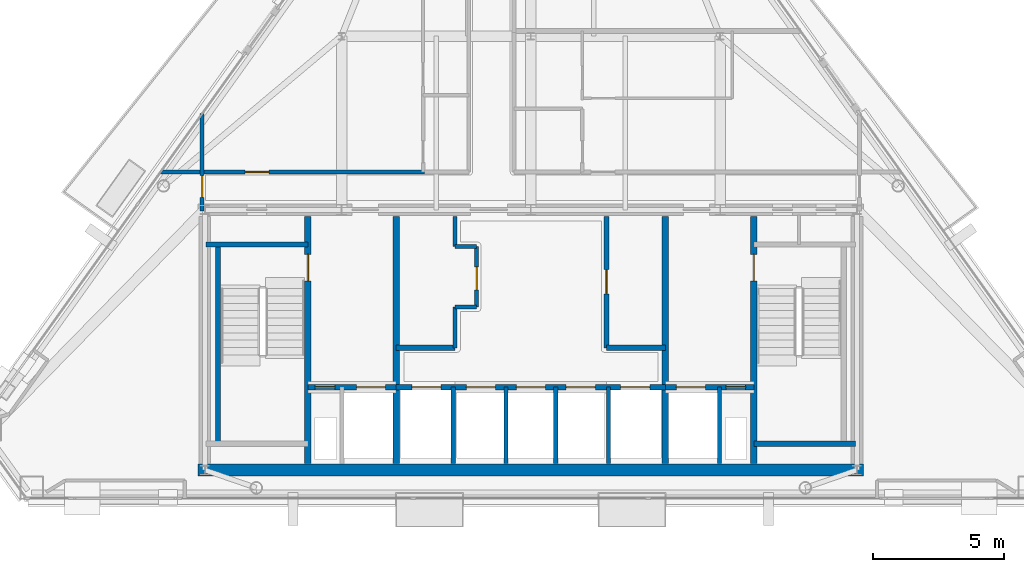
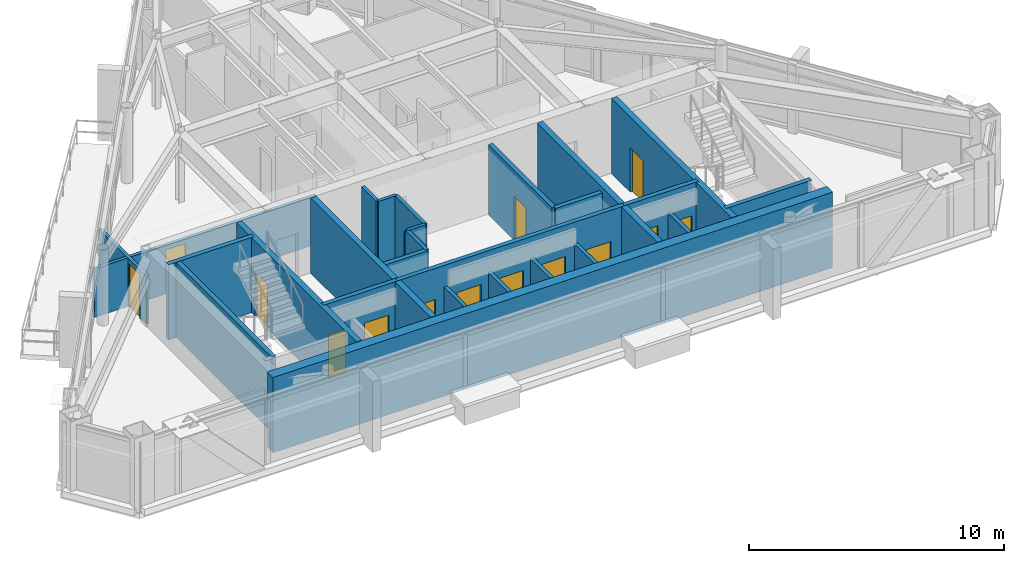
# One storey, part 8 of 12: 26 walls, 15 doors, 15 openings.
"""IFC4 building model written with IfcOpenShell, lengths in metres."""

from ifc_helpers import new_model, si_unit, direction, frame, frame_2d, origin, place, context, subcontext, project, spatial, rectangle, extrude, material, layer, layer_set, type_object, element, fill, save


model = new_model("IFC4")

# Units and contexts
model_context = context("Model", 3, precision=1e-05, world=origin(), true_north=direction((0.0, 1.0)))
body_context = subcontext(model_context, "Body", "Model", "MODEL_VIEW")
ifc_project = project(units=[si_unit("LENGTHUNIT", "METRE"), si_unit("AREAUNIT", "SQUARE_METRE"), si_unit("VOLUMEUNIT", "CUBIC_METRE"), si_unit("PLANEANGLEUNIT", "RADIAN"), si_unit("MASSUNIT", "GRAM", prefix="KILO")], contexts=[model_context])

# Site, building, storey
site_placement = place(None, origin())
site = spatial("IfcSite", under=ifc_project, at=site_placement, CompositionType="ELEMENT")
building_placement = place(site_placement, origin())
building = spatial("IfcBuilding", under=site, at=building_placement, Name="Talgorran Terracotta Tower", CompositionType="ELEMENT")
storey_placement = place(building_placement, frame((0.0, 0.0, 277.800048828125)))
storey = spatial("IfcBuildingStorey", under=building, at=storey_placement, Name="L73", CompositionType="ELEMENT", Elevation=277.800048828125)

# Walls
ifc_material_1 = material(Name="Concrete C50/60", Category="concrete")
ifc_layer_1 = layer(ifc_material_1, 0.199951171875, Name="WT_CORE_200")
ifc_layer_set_1 = layer_set([ifc_layer_1], Name="Concrete C50/60")
wall_type_1 = type_object("IfcWallType", Name="WT_CORE_200", PredefinedType="SOLIDWALL", material=ifc_layer_set_1)
wall_1_placement = place(storey_placement, frame((-12.35009765625, -5.52001953125, 0.0), z_axis=(0.0, 0.0, 1.0), x_axis=(1.0, 0.0, 0.0)))
element("IfcWall", 1, at=wall_1_placement, inside=storey, type_object=wall_type_1, Name="WL-L73-CW-ST1-N", PredefinedType="SOLIDWALL", context=body_context, shape_type="SweptSolid", body=[
    extrude(rectangle(XDim=3.8701171875, YDim=0.199951171875, at=frame_2d((1.93505859375, 0.0))), origin(), (0.0, 0.0, 1.0), 3.599853515625),
])
wall_2_placement = place(storey_placement, frame((-11.89990234375, -13.10009765625, 0.0), z_axis=(0.0, 0.0, 1.0), x_axis=(0.0, 1.0, 0.0)))
element("IfcWall", 2, at=wall_2_placement, inside=storey, type_object=wall_type_1, Name="WL-L73-CW-ST1-W", PredefinedType="SOLIDWALL", context=body_context, shape_type="SweptSolid", body=[
    extrude(rectangle(XDim=7.580078125, YDim=0.199951171875, at=frame_2d((3.7900390625, 0.0))), origin(), (0.0, 0.0, 1.0), 3.599853515625),
])
wall_3_placement = place(storey_placement, frame((8.47998046875, -13.10009765625, 0.0), z_axis=(0.0, 0.0, 1.0), x_axis=(1.0, 0.0, 0.0)))
element("IfcWall", 3, at=wall_3_placement, inside=storey, type_object=wall_type_1, Name="WL-L73-CW-ST2-S", PredefinedType="SOLIDWALL", context=body_context, shape_type="SweptSolid", body=[
    extrude(rectangle(XDim=3.8701171875, YDim=0.199951171875, at=frame_2d((1.93505859375, 0.0))), origin(), (0.0, 0.0, 1.0), 3.599853515625),
])

# Wall, openings, doors
wall_4_placement = place(storey_placement, frame((-8.47998046875, -10.949951171875, 0.0), z_axis=(0.0, 0.0, 1.0), x_axis=(1.0, 0.0, 0.0)))
wall_4 = element("IfcWall", 4, at=wall_4_placement, inside=storey, type_object=wall_type_1, Name="WL-L73-CW-H-SBW", PredefinedType="SOLIDWALL", context=body_context, shape_type="SweptSolid", body=[
    extrude(rectangle(XDim=3.35986328125, YDim=0.199951171875, at=frame_2d((1.679931640625, 0.0))), origin(), (0.0, 0.0, 1.0), 3.599853515625),
])
opening_1_placement = place(wall_4_placement, frame((0.280029296875, 0.0, 0.0)))
opening_1 = element("IfcOpeningElement", 5, at=opening_1_placement, cuts=wall_4, Name="Opening DR-RSW", PredefinedType="OPENING", context=body_context, shape_type="SweptSolid", body=[
    extrude(rectangle(XDim=0.756, YDim=2.054048828125, at=frame_2d((0.375, 1.027099609375))), frame((0.0, 0.10986328125, 0.0), z_axis=(0.0, -1.0, 0.0), x_axis=(1.0, 0.0, 0.0)), (0.0, 0.0, 1.0), 0.219970703125),
])
opening_2_placement = place(wall_4_placement, frame((1.85009765625, 0.0, 0.0)))
opening_2 = element("IfcOpeningElement", 6, at=opening_2_placement, cuts=wall_4, Name="Opening LD-FFL1", PredefinedType="OPENING", context=body_context, shape_type="SweptSolid", body=[
    extrude(rectangle(XDim=1.10609765625, YDim=2.10409765625, at=frame_2d((0.550048828125, 1.052001953125))), frame((0.0, 0.10986328125, 0.0), z_axis=(0.0, -1.0, 0.0), x_axis=(1.0, 0.0, 0.0)), (0.0, 0.0, 1.0), 0.219970703125),
])
ifc_material_2 = material(Name="Brushed Stainless Steel Grade 304", Category="steel")
door_type_1 = type_object("IfcDoorType", Name="DT_LIFT_LD1100", OperationType="DOUBLE_DOOR_SLIDING", PredefinedType="DOOR", material=ifc_material_2)
door_1_placement = place(opening_2_placement, origin())
door_1 = element("IfcDoor", 7, at=door_1_placement, inside=storey, type_object=door_type_1, Name="L73 Lift Landing Door LD-FFL1", OperationType="DOUBLE_DOOR_SLIDING", OverallHeight=2.10009765625, OverallWidth=1.10009765625, PredefinedType="DOOR", context=body_context, shape_type="SweptSolid", body=[
    extrude(rectangle(XDim=1.10009765625, YDim=2.10009765625, at=frame_2d((0.550048828125, 1.050048828125))), frame((0.0, 0.02490234375, 0.0), z_axis=(0.0, -1.0, 0.0), x_axis=(1.0, 0.0, 0.0)), (0.0, 0.0, 1.0), 0.050048828125),
])
fill(opening_2, door_1)
ifc_material_3 = material(Name="Fire-Rated Pressed Steel", Category="steel")
door_type_2 = type_object("IfcDoorType", Name="DT_RISER_750", OperationType="NOTDEFINED", PredefinedType="DOOR", material=ifc_material_3)
door_2_placement = place(opening_1_placement, origin())
door_2 = element("IfcDoor", 8, at=door_2_placement, inside=storey, type_object=door_type_2, Name="DR-RSW", OperationType="SINGLE_SWING_LEFT", OverallHeight=2.050048828125, OverallWidth=0.75, PredefinedType="DOOR", context=body_context, shape_type="SweptSolid", body=[
    extrude(rectangle(XDim=0.75, YDim=2.050048828125, at=frame_2d((0.375, 1.02490234375))), frame((0.0, 0.02490234375, 0.0), z_axis=(0.0, -1.0, 0.0), x_axis=(1.0, 0.0, 0.0)), (0.0, 0.0, 1.0), 0.050048828125),
])
fill(opening_1, door_2)

wall_5_placement = place(storey_placement, frame((-5.1201171875, -10.949951171875, 0.0), z_axis=(0.0, 0.0, 1.0), x_axis=(1.0, 0.0, 0.0)))
wall_5 = element("IfcWall", 9, at=wall_5_placement, inside=storey, type_object=wall_type_1, Name="WL-L73-CW-H-SBC", PredefinedType="SOLIDWALL", context=body_context, shape_type="SweptSolid", body=[
    extrude(rectangle(XDim=10.240234375, YDim=0.199951171875, at=frame_2d((5.1201171875, 0.0))), origin(), (0.0, 0.0, 1.0), 3.599853515625),
])
opening_3_placement = place(wall_5_placement, frame((0.60009765625, 0.0, 0.0)))
opening_3 = element("IfcOpeningElement", 10, at=opening_3_placement, cuts=wall_5, Name="Opening LD-OB1", PredefinedType="OPENING", context=body_context, shape_type="SweptSolid", body=[
    extrude(rectangle(XDim=1.10609765625, YDim=2.10409765625, at=frame_2d((0.550048828125, 1.052001953125))), frame((0.0, 0.10986328125, 0.0), z_axis=(0.0, -1.0, 0.0), x_axis=(1.0, 0.0, 0.0)), (0.0, 0.0, 1.0), 0.219970703125),
])
opening_4_placement = place(wall_5_placement, frame((2.669921875, 0.0, 0.0)))
opening_4 = element("IfcOpeningElement", 11, at=opening_4_placement, cuts=wall_5, Name="Opening LD-PLH1", PredefinedType="OPENING", context=body_context, shape_type="SweptSolid", body=[
    extrude(rectangle(XDim=1.10609765625, YDim=2.10409765625, at=frame_2d((0.550048828125, 1.052001953125))), frame((0.0, 0.10986328125, 0.0), z_axis=(0.0, -1.0, 0.0), x_axis=(1.0, 0.0, 0.0)), (0.0, 0.0, 1.0), 0.219970703125),
])
opening_5_placement = place(wall_5_placement, frame((4.570068359375, 0.0, 0.0)))
opening_5 = element("IfcOpeningElement", 12, at=opening_5_placement, cuts=wall_5, Name="Opening LD-PLH2", PredefinedType="OPENING", context=body_context, shape_type="SweptSolid", body=[
    extrude(rectangle(XDim=1.10609765625, YDim=2.10409765625, at=frame_2d((0.550048828125, 1.052001953125))), frame((0.0, 0.10986328125, 0.0), z_axis=(0.0, -1.0, 0.0), x_axis=(1.0, 0.0, 0.0)), (0.0, 0.0, 1.0), 0.219970703125),
])
opening_6_placement = place(wall_5_placement, frame((6.469970703125, 0.0, 0.0)))
opening_6 = element("IfcOpeningElement", 13, at=opening_6_placement, cuts=wall_5, Name="Opening LD-PLH3", PredefinedType="OPENING", context=body_context, shape_type="SweptSolid", body=[
    extrude(rectangle(XDim=1.10609765625, YDim=2.10409765625, at=frame_2d((0.550048828125, 1.052001953125))), frame((0.0, 0.10986328125, 0.0), z_axis=(0.0, -1.0, 0.0), x_axis=(1.0, 0.0, 0.0)), (0.0, 0.0, 1.0), 0.219970703125),
])
opening_7_placement = place(wall_5_placement, frame((8.5400390625, 0.0, 0.0)))
opening_7 = element("IfcOpeningElement", 14, at=opening_7_placement, cuts=wall_5, Name="Opening LD-SVL1", PredefinedType="OPENING", context=body_context, shape_type="SweptSolid", body=[
    extrude(rectangle(XDim=1.10609765625, YDim=2.10409765625, at=frame_2d((0.550048828125, 1.052001953125))), frame((0.0, 0.10986328125, 0.0), z_axis=(0.0, -1.0, 0.0), x_axis=(1.0, 0.0, 0.0)), (0.0, 0.0, 1.0), 0.219970703125),
])
door_3_placement = place(opening_3_placement, origin())
door_3 = element("IfcDoor", 15, at=door_3_placement, inside=storey, type_object=door_type_1, Name="L73 Lift Landing Door LD-OB1", OperationType="DOUBLE_DOOR_SLIDING", OverallHeight=2.10009765625, OverallWidth=1.10009765625, PredefinedType="DOOR", context=body_context, shape_type="SweptSolid", body=[
    extrude(rectangle(XDim=1.10009765625, YDim=2.10009765625, at=frame_2d((0.550048828125, 1.050048828125))), frame((0.0, 0.02490234375, 0.0), z_axis=(0.0, -1.0, 0.0), x_axis=(1.0, 0.0, 0.0)), (0.0, 0.0, 1.0), 0.050048828125),
])
fill(opening_3, door_3)
door_4_placement = place(opening_4_placement, origin())
door_4 = element("IfcDoor", 16, at=door_4_placement, inside=storey, type_object=door_type_1, Name="L73 Lift Landing Door LD-PLH1", OperationType="DOUBLE_DOOR_SLIDING", OverallHeight=2.10009765625, OverallWidth=1.10009765625, PredefinedType="DOOR", context=body_context, shape_type="SweptSolid", body=[
    extrude(rectangle(XDim=1.10009765625, YDim=2.10009765625, at=frame_2d((0.550048828125, 1.050048828125))), frame((0.0, 0.02490234375, 0.0), z_axis=(0.0, -1.0, 0.0), x_axis=(1.0, 0.0, 0.0)), (0.0, 0.0, 1.0), 0.050048828125),
])
fill(opening_4, door_4)
door_5_placement = place(opening_5_placement, origin())
door_5 = element("IfcDoor", 17, at=door_5_placement, inside=storey, type_object=door_type_1, Name="L73 Lift Landing Door LD-PLH2", OperationType="DOUBLE_DOOR_SLIDING", OverallHeight=2.10009765625, OverallWidth=1.10009765625, PredefinedType="DOOR", context=body_context, shape_type="SweptSolid", body=[
    extrude(rectangle(XDim=1.10009765625, YDim=2.10009765625, at=frame_2d((0.550048828125, 1.050048828125))), frame((0.0, 0.02490234375, 0.0), z_axis=(0.0, -1.0, 0.0), x_axis=(1.0, 0.0, 0.0)), (0.0, 0.0, 1.0), 0.050048828125),
])
fill(opening_5, door_5)
door_6_placement = place(opening_6_placement, origin())
door_6 = element("IfcDoor", 18, at=door_6_placement, inside=storey, type_object=door_type_1, Name="L73 Lift Landing Door LD-PLH3", OperationType="DOUBLE_DOOR_SLIDING", OverallHeight=2.10009765625, OverallWidth=1.10009765625, PredefinedType="DOOR", context=body_context, shape_type="SweptSolid", body=[
    extrude(rectangle(XDim=1.10009765625, YDim=2.10009765625, at=frame_2d((0.550048828125, 1.050048828125))), frame((0.0, 0.02490234375, 0.0), z_axis=(0.0, -1.0, 0.0), x_axis=(1.0, 0.0, 0.0)), (0.0, 0.0, 1.0), 0.050048828125),
])
fill(opening_6, door_6)
door_7_placement = place(opening_7_placement, origin())
door_7 = element("IfcDoor", 19, at=door_7_placement, inside=storey, type_object=door_type_1, Name="L73 Lift Landing Door LD-SVL1", OperationType="DOUBLE_DOOR_SLIDING", OverallHeight=2.10009765625, OverallWidth=1.10009765625, PredefinedType="DOOR", context=body_context, shape_type="SweptSolid", body=[
    extrude(rectangle(XDim=1.10009765625, YDim=2.10009765625, at=frame_2d((0.550048828125, 1.050048828125))), frame((0.0, 0.02490234375, 0.0), z_axis=(0.0, -1.0, 0.0), x_axis=(1.0, 0.0, 0.0)), (0.0, 0.0, 1.0), 0.050048828125),
])
fill(opening_7, door_7)

wall_6_placement = place(storey_placement, frame((5.1201171875, -10.949951171875, 0.0), z_axis=(0.0, 0.0, 1.0), x_axis=(1.0, 0.0, 0.0)))
wall_6 = element("IfcWall", 20, at=wall_6_placement, inside=storey, type_object=wall_type_1, Name="WL-L73-CW-H-SBE", PredefinedType="SOLIDWALL", context=body_context, shape_type="SweptSolid", body=[
    extrude(rectangle(XDim=3.35986328125, YDim=0.199951171875, at=frame_2d((1.679931640625, 0.0))), origin(), (0.0, 0.0, 1.0), 3.599853515625),
])
opening_8_placement = place(wall_6_placement, frame((0.419921875, 0.0, 0.0)))
opening_8 = element("IfcOpeningElement", 21, at=opening_8_placement, cuts=wall_6, Name="Opening LD-FFL2", PredefinedType="OPENING", context=body_context, shape_type="SweptSolid", body=[
    extrude(rectangle(XDim=1.10609765625, YDim=2.10409765625, at=frame_2d((0.550048828125, 1.052001953125))), frame((0.0, 0.10986328125, 0.0), z_axis=(0.0, -1.0, 0.0), x_axis=(1.0, 0.0, 0.0)), (0.0, 0.0, 1.0), 0.219970703125),
])
opening_9_placement = place(wall_6_placement, frame((2.300048828125, 0.0, 0.0)))
opening_9 = element("IfcOpeningElement", 22, at=opening_9_placement, cuts=wall_6, Name="Opening DR-RSE", PredefinedType="OPENING", context=body_context, shape_type="SweptSolid", body=[
    extrude(rectangle(XDim=0.756, YDim=2.054048828125, at=frame_2d((0.375, 1.027099609375))), frame((0.0, 0.10986328125, 0.0), z_axis=(0.0, -1.0, 0.0), x_axis=(1.0, 0.0, 0.0)), (0.0, 0.0, 1.0), 0.219970703125),
])
door_8_placement = place(opening_8_placement, origin())
door_8 = element("IfcDoor", 23, at=door_8_placement, inside=storey, type_object=door_type_1, Name="L73 Lift Landing Door LD-FFL2", OperationType="DOUBLE_DOOR_SLIDING", OverallHeight=2.10009765625, OverallWidth=1.10009765625, PredefinedType="DOOR", context=body_context, shape_type="SweptSolid", body=[
    extrude(rectangle(XDim=1.10009765625, YDim=2.10009765625, at=frame_2d((0.550048828125, 1.050048828125))), frame((0.0, 0.02490234375, 0.0), z_axis=(0.0, -1.0, 0.0), x_axis=(1.0, 0.0, 0.0)), (0.0, 0.0, 1.0), 0.050048828125),
])
fill(opening_8, door_8)
door_9_placement = place(opening_9_placement, origin())
door_9 = element("IfcDoor", 24, at=door_9_placement, inside=storey, type_object=door_type_2, Name="DR-RSE", OperationType="SINGLE_SWING_RIGHT", OverallHeight=2.050048828125, OverallWidth=0.75, PredefinedType="DOOR", context=body_context, shape_type="SweptSolid", body=[
    extrude(rectangle(XDim=0.75, YDim=2.050048828125, at=frame_2d((0.375, 1.02490234375))), frame((0.0, 0.02490234375, 0.0), z_axis=(0.0, -1.0, 0.0), x_axis=(1.0, 0.0, 0.0)), (0.0, 0.0, 1.0), 0.050048828125),
])
fill(opening_9, door_9)

# Wall
wall_7_placement = place(storey_placement, frame((-5.1201171875, -9.449951171875, 0.0), z_axis=(0.0, 0.0, 1.0), x_axis=(1.0, 0.0, 0.0)))
element("IfcWall", 25, at=wall_7_placement, inside=storey, type_object=wall_type_1, Name="WL-L73-CW-H-W4", PredefinedType="SOLIDWALL", context=body_context, shape_type="SweptSolid", body=[
    extrude(rectangle(XDim=2.240234375, YDim=0.199951171875, at=frame_2d((1.1201171875, 0.0))), origin(), (0.0, 0.0, 1.0), 3.344970703125),
])

# Wall, opening, door
wall_8_placement = place(storey_placement, frame((2.8798828125, -9.449951171875, 0.0), z_axis=(0.0, 0.0, 1.0), x_axis=(0.0, 1.0, 0.0)))
wall_8 = element("IfcWall", 26, at=wall_8_placement, inside=storey, type_object=wall_type_1, Name="WL-L73-CW-V-E3", PredefinedType="SOLIDWALL", context=body_context, shape_type="SweptSolid", body=[
    extrude(rectangle(XDim=5.0, YDim=0.199951171875, at=frame_2d((2.5, 0.0))), origin(), (0.0, 0.0, 1.0), 3.344970703125),
])
opening_10_placement = place(wall_8_placement, frame((2.050048828125, 0.0, 0.0)))
opening_10 = element("IfcOpeningElement", 27, at=opening_10_placement, cuts=wall_8, Name="Opening DR-FRPLM-A", PredefinedType="OPENING", context=body_context, shape_type="SweptSolid", body=[
    extrude(rectangle(XDim=0.925921875, YDim=2.10409765625, at=frame_2d((0.4599609375, 1.052001953125))), frame((0.0, 0.10986328125, 0.0), z_axis=(0.0, -1.0, 0.0), x_axis=(1.0, 0.0, 0.0)), (0.0, 0.0, 1.0), 0.219970703125),
])
ifc_material_4 = material(Name="Solid-Core Painted Timber", Category="wood")
door_type_3 = type_object("IfcDoorType", Name="DT_INT_920", OperationType="NOTDEFINED", PredefinedType="DOOR", material=ifc_material_4)
door_10_placement = place(opening_10_placement, origin())
door_10 = element("IfcDoor", 28, at=door_10_placement, inside=storey, type_object=door_type_3, Name="DR-FRPLM-A", OperationType="SINGLE_SWING_RIGHT", OverallHeight=2.10009765625, OverallWidth=0.919921875, PredefinedType="DOOR", context=body_context, shape_type="SweptSolid", body=[
    extrude(rectangle(XDim=0.919921875, YDim=2.10009765625, at=frame_2d((0.4599609375, 1.050048828125))), frame((0.0, 0.02490234375, 0.0), z_axis=(0.0, -1.0, 0.0), x_axis=(1.0, 0.0, 0.0)), (0.0, 0.0, 1.0), 0.050048828125),
])
fill(opening_10, door_10)

# Wall
wall_9_placement = place(storey_placement, frame((2.8798828125, -9.449951171875, 0.0), z_axis=(0.0, 0.0, 1.0), x_axis=(1.0, 0.0, 0.0)))
element("IfcWall", 29, at=wall_9_placement, inside=storey, type_object=wall_type_1, Name="WL-L73-CW-H-E4", PredefinedType="SOLIDWALL", context=body_context, shape_type="SweptSolid", body=[
    extrude(rectangle(XDim=2.240234375, YDim=0.199951171875, at=frame_2d((1.1201171875, 0.0))), origin(), (0.0, 0.0, 1.0), 3.344970703125),
])

# Wall, opening, door
ifc_layer_2 = layer(ifc_material_1, 0.25, Name="WT_CORE_250")
ifc_layer_set_2 = layer_set([ifc_layer_2], Name="Concrete C50/60")
wall_type_2 = type_object("IfcWallType", Name="WT_CORE_250", PredefinedType="SHEAR", material=ifc_layer_set_2)
wall_10_placement = place(storey_placement, frame((-8.47998046875, -13.85009765625, 0.0), z_axis=(0.0, 0.0, 1.0), x_axis=(0.0, 1.0, 0.0)))
wall_10 = element("IfcWall", 30, at=wall_10_placement, inside=storey, type_object=wall_type_2, Name="WL-L73-CW-V-W1", PredefinedType="SHEAR", context=body_context, shape_type="SweptSolid", body=[
    extrude(rectangle(XDim=9.400146484375, YDim=0.25, at=frame_2d((4.7001953125, 0.0))), origin(), (0.0, 0.0, 1.0), 3.599853515625),
])
opening_11_placement = place(wall_10_placement, frame((6.949951171875, 0.0, 0.0)))
opening_11 = element("IfcOpeningElement", 31, at=opening_11_placement, cuts=wall_10, Name="Opening DR-ST01", PredefinedType="OPENING", context=body_context, shape_type="SweptSolid", body=[
    extrude(rectangle(XDim=1.006, YDim=2.10409765625, at=frame_2d((0.5, 1.052001953125))), frame((0.0, 0.135009765625, 0.0), z_axis=(0.0, -1.0, 0.0), x_axis=(1.0, 0.0, 0.0)), (0.0, 0.0, 1.0), 0.27001953125),
])
door_type_4 = type_object("IfcDoorType", Name="DT_FIRE_1000", OperationType="NOTDEFINED", PredefinedType="DOOR", material=ifc_material_3)
door_11_placement = place(opening_11_placement, origin())
door_11 = element("IfcDoor", 32, at=door_11_placement, inside=storey, type_object=door_type_4, Name="DR-ST01", OperationType="SINGLE_SWING_LEFT", OverallHeight=2.10009765625, OverallWidth=1.0, PredefinedType="DOOR", context=body_context, shape_type="SweptSolid", body=[
    extrude(rectangle(XDim=1.0, YDim=2.10009765625, at=frame_2d((0.5, 1.050048828125))), frame((0.0, 0.02490234375, 0.0), z_axis=(0.0, -1.0, 0.0), x_axis=(1.0, 0.0, 0.0)), (0.0, 0.0, 1.0), 0.050048828125),
])
fill(opening_11, door_11)

wall_11_placement = place(storey_placement, frame((8.47998046875, -13.85009765625, 0.0), z_axis=(0.0, 0.0, 1.0), x_axis=(0.0, 1.0, 0.0)))
wall_11 = element("IfcWall", 33, at=wall_11_placement, inside=storey, type_object=wall_type_2, Name="WL-L73-CW-V-E1", PredefinedType="SHEAR", context=body_context, shape_type="SweptSolid", body=[
    extrude(rectangle(XDim=9.400146484375, YDim=0.25, at=frame_2d((4.7001953125, 0.0))), origin(), (0.0, 0.0, 1.0), 3.599853515625),
])
opening_12_placement = place(wall_11_placement, frame((6.949951171875, 0.0, 0.0)))
opening_12 = element("IfcOpeningElement", 34, at=opening_12_placement, cuts=wall_11, Name="Opening DR-ST02", PredefinedType="OPENING", context=body_context, shape_type="SweptSolid", body=[
    extrude(rectangle(XDim=1.006, YDim=2.10409765625, at=frame_2d((0.5, 1.052001953125))), frame((0.0, 0.135009765625, 0.0), z_axis=(0.0, -1.0, 0.0), x_axis=(1.0, 0.0, 0.0)), (0.0, 0.0, 1.0), 0.27001953125),
])
door_12_placement = place(opening_12_placement, origin())
door_12 = element("IfcDoor", 35, at=door_12_placement, inside=storey, type_object=door_type_4, Name="DR-ST02", OperationType="SINGLE_SWING_RIGHT", OverallHeight=2.10009765625, OverallWidth=1.0, PredefinedType="DOOR", context=body_context, shape_type="SweptSolid", body=[
    extrude(rectangle(XDim=1.0, YDim=2.10009765625, at=frame_2d((0.5, 1.050048828125))), frame((0.0, 0.02490234375, 0.0), z_axis=(0.0, -1.0, 0.0), x_axis=(1.0, 0.0, 0.0)), (0.0, 0.0, 1.0), 0.050048828125),
])
fill(opening_12, door_12)

# Walls
for number, where, z_axis, x_axis, name in (
    (36, (-5.1201171875, -13.85009765625, 0.0), (0.0, 0.0, 1.0), (0.0, 1.0, 0.0), "WL-L73-CW-V-W2"),
    (37, (5.1201171875, -13.85009765625, 0.0), (0.0, 0.0, 1.0), (0.0, 1.0, 0.0), "WL-L73-CW-V-E2"),
):
    element("IfcWall", number, at=place(storey_placement, frame(where, z_axis=z_axis, x_axis=x_axis)), inside=storey, type_object=wall_type_2, Name=name, PredefinedType="SHEAR", context=body_context, shape_type="SweptSolid", body=[
        extrude(rectangle(XDim=9.400146484375, YDim=0.25, at=frame_2d((4.7001953125, 0.0))), origin(), (0.0, 0.0, 1.0), 3.599853515625),
    ])
ifc_material_5 = material(Name="Concrete C65/80", Category="concrete")
ifc_layer_3 = layer(ifc_material_5, 0.449951171875, Name="WT_CORE_EXT")
ifc_layer_set_3 = layer_set([ifc_layer_3], Name="Concrete C65/80")
wall_type_3 = type_object("IfcWallType", Name="WT_CORE_EXT", PredefinedType="SHEAR", material=ifc_layer_set_3)
wall_12_placement = place(storey_placement, frame((-12.64990234375, -14.10009765625, 0.0), z_axis=(0.0, 0.0, 1.0), x_axis=(1.0, 0.0, 0.0)))
element("IfcWall", 38, at=wall_12_placement, inside=storey, type_object=wall_type_3, Name="WL-L73-CW-OUT-S", PredefinedType="SHEAR", context=body_context, shape_type="SweptSolid", body=[
    extrude(rectangle(XDim=25.2998046875, YDim=0.449951171875, at=frame_2d((12.64990234375, 0.0))), origin(), (0.0, 0.0, 1.0), 3.599853515625),
])
ifc_material_6 = material(Name="Fire-Rated Steel Stud Plasterboard", Category="steel")
ifc_layer_4 = layer(ifc_material_6, 0.14990234375, Name="WT_FIRE_150")
ifc_layer_set_4 = layer_set([ifc_layer_4], Name="Fire-Rated Steel Stud Plasterboard")
wall_type_4 = type_object("IfcWallType", Name="WT_FIRE_150", PredefinedType="PARTITIONING", material=ifc_layer_set_4)
wall_13_placement = place(storey_placement, frame((-2.8798828125, -9.449951171875, 0.0), z_axis=(0.0, 0.0, 1.0), x_axis=(0.0, 1.0, 0.0)))
element("IfcWall", 39, at=wall_13_placement, inside=storey, type_object=wall_type_4, Name="WL-L73-CW-V-W3A", PredefinedType="PARTITIONING", context=body_context, shape_type="SweptSolid", body=[
    extrude(rectangle(XDim=1.550048828125, YDim=0.14990234375, at=frame_2d((0.77490234375, 0.0))), origin(), (0.0, 0.0, 1.0), 3.344970703125),
])
wall_14_placement = place(storey_placement, frame((-2.8798828125, -7.89990234375, 0.0), z_axis=(0.0, 0.0, 1.0), x_axis=(1.0, 0.0, 0.0)))
element("IfcWall", 40, at=wall_14_placement, inside=storey, type_object=wall_type_4, Name="WL-L73-CW-H-W3B", PredefinedType="PARTITIONING", context=body_context, shape_type="SweptSolid", body=[
    extrude(rectangle(XDim=0.81982421875, YDim=0.14990234375, at=frame_2d((0.409912109375, 0.0))), origin(), (0.0, 0.0, 1.0), 3.344970703125),
])

# Wall, opening, door
wall_15_placement = place(storey_placement, frame((-2.06005859375, -7.89990234375, 0.0), z_axis=(0.0, 0.0, 1.0), x_axis=(0.0, 1.0, 0.0)))
wall_15 = element("IfcWall", 41, at=wall_15_placement, inside=storey, type_object=wall_type_4, Name="WL-L73-CW-V-W3C", PredefinedType="PARTITIONING", context=body_context, shape_type="SweptSolid", body=[
    extrude(rectangle(XDim=2.2998046875, YDim=0.14990234375, at=frame_2d((1.14990234375, 0.0))), origin(), (0.0, 0.0, 1.0), 3.344970703125),
])
opening_13_placement = place(wall_15_placement, frame((0.64990234375, 0.0, 0.0)))
opening_13 = element("IfcOpeningElement", 42, at=opening_13_placement, cuts=wall_15, Name="Opening DR-FRPLL-B", PredefinedType="OPENING", context=body_context, shape_type="SweptSolid", body=[
    extrude(rectangle(XDim=0.8858828125, YDim=2.10409765625, at=frame_2d((0.43994140625, 1.052001953125))), frame((0.0, 0.0849609375, 0.0), z_axis=(0.0, -1.0, 0.0), x_axis=(1.0, 0.0, 0.0)), (0.0, 0.0, 1.0), 0.169921875),
])
door_type_5 = type_object("IfcDoorType", Name="DT_INT_880", OperationType="NOTDEFINED", PredefinedType="DOOR", material=ifc_material_4)
door_13_placement = place(opening_13_placement, origin())
door_13 = element("IfcDoor", 43, at=door_13_placement, inside=storey, type_object=door_type_5, Name="DR-FRPLL-B", OperationType="SINGLE_SWING_LEFT", OverallHeight=2.10009765625, OverallWidth=0.8798828125, PredefinedType="DOOR", context=body_context, shape_type="SweptSolid", body=[
    extrude(rectangle(XDim=0.8798828125, YDim=2.10009765625, at=frame_2d((0.43994140625, 1.050048828125))), frame((0.0, 0.02490234375, 0.0), z_axis=(0.0, -1.0, 0.0), x_axis=(1.0, 0.0, 0.0)), (0.0, 0.0, 1.0), 0.050048828125),
])
fill(opening_13, door_13)

# Walls
wall_16_placement = place(storey_placement, frame((-2.8798828125, -5.60009765625, 0.0), z_axis=(0.0, 0.0, 1.0), x_axis=(1.0, 0.0, 0.0)))
element("IfcWall", 44, at=wall_16_placement, inside=storey, type_object=wall_type_4, Name="WL-L73-CW-H-W3D", PredefinedType="PARTITIONING", context=body_context, shape_type="SweptSolid", body=[
    extrude(rectangle(XDim=0.81982421875, YDim=0.14990234375, at=frame_2d((0.409912109375, 0.0))), origin(), (0.0, 0.0, 1.0), 3.344970703125),
])
wall_17_placement = place(storey_placement, frame((-2.8798828125, -5.60009765625, 0.0), z_axis=(0.0, 0.0, 1.0), x_axis=(0.0, 1.0, 0.0)))
element("IfcWall", 45, at=wall_17_placement, inside=storey, type_object=wall_type_4, Name="WL-L73-CW-V-W3E", PredefinedType="PARTITIONING", context=body_context, shape_type="SweptSolid", body=[
    extrude(rectangle(XDim=1.150146484375, YDim=0.14990234375, at=frame_2d((0.5751953125, 0.0))), origin(), (0.0, 0.0, 1.0), 3.344970703125),
])

# Wall, opening, door
wall_18_placement = place(storey_placement, frame((-14.082275390625, -2.760009765625, 0.0), z_axis=(0.0, 0.0, 1.0), x_axis=(1.0, 0.0, 0.0)))
wall_18 = element("IfcWall", 46, at=wall_18_placement, inside=storey, type_object=wall_type_4, Name="WL-L73-W-L73-R08", PredefinedType="PARTITIONING", context=body_context, shape_type="SweptSolid", body=[
    extrude(rectangle(XDim=10.042236328125, YDim=0.14990234375, at=frame_2d((5.02099609375, 0.0))), origin(), (0.0, 0.0, 1.0), 2.320068359375),
])
opening_14_placement = place(wall_18_placement, frame((3.214111328125, 0.0, 0.0)))
opening_14 = element("IfcOpeningElement", 47, at=opening_14_placement, cuts=wall_18, Name="Opening DR-L73-R06", PredefinedType="OPENING", context=body_context, shape_type="SweptSolid", body=[
    extrude(rectangle(XDim=0.90590234375, YDim=2.10409765625, at=frame_2d((0.449951171875, 1.052001953125))), frame((0.0, 0.0849609375, 0.0), z_axis=(0.0, -1.0, 0.0), x_axis=(1.0, 0.0, 0.0)), (0.0, 0.0, 1.0), 0.169921875),
])
ifc_material_7 = material(Name="Fire-Rated Timber Core", Category="wood")
door_type_6 = type_object("IfcDoorType", Name="DT_FIRE_900", OperationType="NOTDEFINED", PredefinedType="DOOR", material=ifc_material_7)
door_14_placement = place(opening_14_placement, origin())
door_14 = element("IfcDoor", 48, at=door_14_placement, inside=storey, type_object=door_type_6, Name="DR-L73-R06", OperationType="SINGLE_SWING_RIGHT", OverallHeight=2.10009765625, OverallWidth=0.89990234375, PredefinedType="DOOR", context=body_context, shape_type="SweptSolid", body=[
    extrude(rectangle(XDim=0.89990234375, YDim=2.10009765625, at=frame_2d((0.449951171875, 1.050048828125))), frame((0.0, 0.02490234375, 0.0), z_axis=(0.0, -1.0, 0.0), x_axis=(1.0, 0.0, 0.0)), (0.0, 0.0, 1.0), 0.050048828125),
])
fill(opening_14, door_14)

wall_19_placement = place(storey_placement, frame((-12.5, -4.239990234375, 0.0), z_axis=(0.0, 0.0, 1.0), x_axis=(0.0, 1.0, 0.0)))
wall_19 = element("IfcWall", 49, at=wall_19_placement, inside=storey, type_object=wall_type_4, Name="WL-L73-W-L73-R01", PredefinedType="PARTITIONING", context=body_context, shape_type="SweptSolid", body=[
    extrude(rectangle(XDim=3.695068359375, YDim=0.14990234375, at=frame_2d((1.84765625, 0.0))), origin(), (0.0, 0.0, 1.0), 2.320068359375),
])
opening_15_placement = place(wall_19_placement, frame((0.515625, 0.0, 0.0)))
opening_15 = element("IfcOpeningElement", 50, at=opening_15_placement, cuts=wall_19, Name="Opening DR-L73-R01", PredefinedType="OPENING", context=body_context, shape_type="SweptSolid", body=[
    extrude(rectangle(XDim=0.826068359375, YDim=2.10409765625, at=frame_2d((0.41015625, 1.052001953125))), frame((0.0, 0.0849609375, 0.0), z_axis=(0.0, -1.0, 0.0), x_axis=(1.0, 0.0, 0.0)), (0.0, 0.0, 1.0), 0.169921875),
])
ifc_material_8 = material(Name="Moisture-Resistant Solid Timber", Category="wood")
door_type_7 = type_object("IfcDoorType", Name="DT_INT_820", OperationType="NOTDEFINED", PredefinedType="DOOR", material=ifc_material_8)
door_15_placement = place(opening_15_placement, origin())
door_15 = element("IfcDoor", 51, at=door_15_placement, inside=storey, type_object=door_type_7, Name="DR-L73-R01", OperationType="SINGLE_SWING_LEFT", OverallHeight=2.10009765625, OverallWidth=0.820068359375, PredefinedType="DOOR", context=body_context, shape_type="SweptSolid", body=[
    extrude(rectangle(XDim=0.820068359375, YDim=2.10009765625, at=frame_2d((0.41015625, 1.050048828125))), frame((0.0, 0.02490234375, 0.0), z_axis=(0.0, -1.0, 0.0), x_axis=(1.0, 0.0, 0.0)), (0.0, 0.0, 1.0), 0.050048828125),
])
fill(opening_15, door_15)

# Walls
ifc_material_9 = material(Name="Fire-Rated Shaftwall")
ifc_layer_5 = layer(ifc_material_9, 0.159912109375, Name="WT_PART_150")
ifc_layer_set_5 = layer_set([ifc_layer_5], Name="Fire-Rated Shaftwall")
wall_type_5 = type_object("IfcWallType", Name="WT_PART_150", PredefinedType="PARTITIONING", material=ifc_layer_set_5)
for number, where, z_axis, x_axis, name in (
    (52, (7.179931640625, -13.85009765625, 0.0), (0.0, 0.0, 1.0), (0.0, 1.0, 0.0), "WL-L73-CW-RSE"),
    (53, (-2.949951171875, -13.85009765625, 0.0), (0.0, 0.0, 1.0), (0.0, 1.0, 0.0), "WL-L73-CW-OB-E"),
    (54, (2.949951171875, -13.85009765625, 0.0), (0.0, 0.0, 1.0), (0.0, 1.0, 0.0), "WL-L73-CW-SV-W"),
    (55, (-0.949951171875, -13.85009765625, 0.0), (0.0, 0.0, 1.0), (0.0, 1.0, 0.0), "WL-L73-CW-PLH-D1"),
    (56, (0.949951171875, -13.85009765625, 0.0), (0.0, 0.0, 1.0), (0.0, 1.0, 0.0), "WL-L73-CW-PLH-D2"),
):
    element("IfcWall", number, at=place(storey_placement, frame(where, z_axis=z_axis, x_axis=x_axis)), inside=storey, type_object=wall_type_5, Name=name, PredefinedType="PARTITIONING", context=body_context, shape_type="SweptSolid", body=[
        extrude(rectangle(XDim=2.900146484375, YDim=0.159912109375, at=frame_2d((1.4501953125, 0.0))), origin(), (0.0, 0.0, 1.0), 2.570068359375),
    ])

save(model, "model.ifc")
